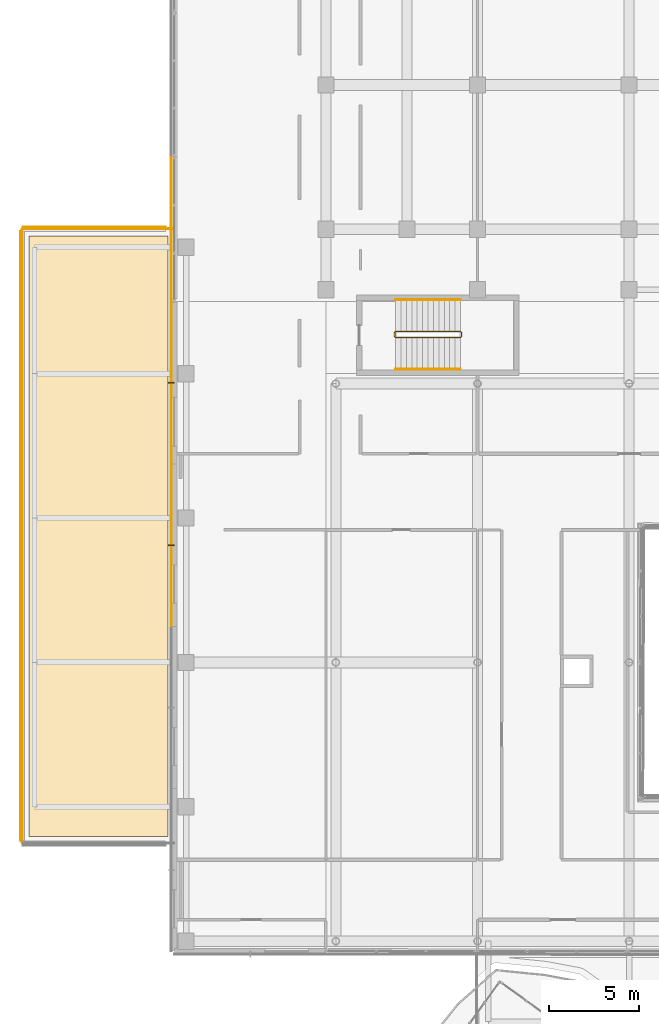
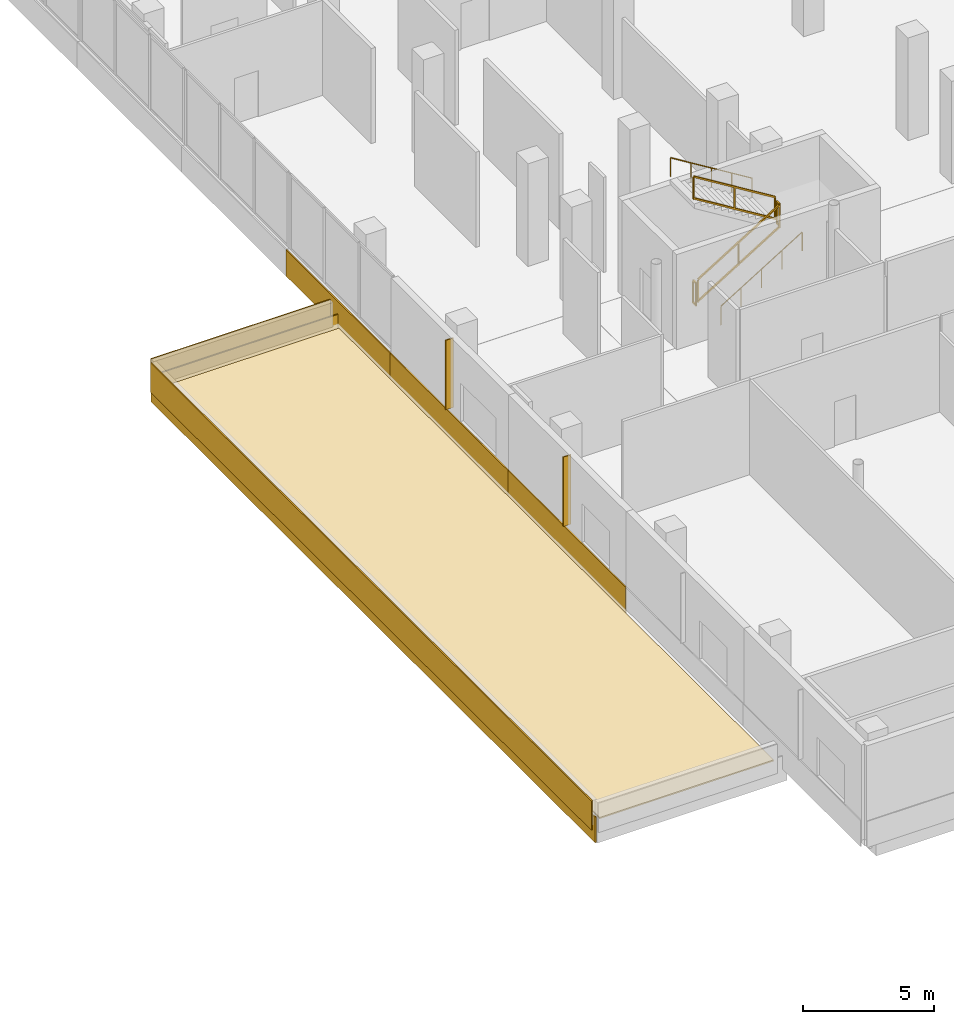
# One storey, part 161 of 168: 8 coverings, 6 railings, 2 shading devices.
"""IFC4 building model written with IfcOpenShell, lengths in metres."""

from ifc_helpers import new_model, si_unit, direction, frame, origin, origin_2d, place, context, subcontext, project, spatial, polyline, rectangle, circle, outline, extrude, material, layer, layer_set, type_object, element, save


model = new_model("IFC4")

# Units and contexts
model_context = context("Model", 3, precision=1e-05, world=origin(), true_north=direction((0.0, 1.0)))
body_context = subcontext(model_context, "Body", "Model", "MODEL_VIEW")
ifc_project = project(units=[si_unit("LENGTHUNIT", "METRE"), si_unit("AREAUNIT", "SQUARE_METRE"), si_unit("VOLUMEUNIT", "CUBIC_METRE"), si_unit("PLANEANGLEUNIT", "RADIAN"), si_unit("MASSUNIT", "GRAM", prefix="KILO")], contexts=[model_context])

# Site, building, storey
site_placement = place(None, origin())
site = spatial("IfcSite", under=ifc_project, at=site_placement, CompositionType="ELEMENT")
building_placement = place(site_placement, origin())
building = spatial("IfcBuilding", under=site, at=building_placement, Name="Selatvlak General Hospital", CompositionType="ELEMENT")
storey_placement = place(building_placement, frame((0.0, 0.0, 5.39990234375)))
storey = spatial("IfcBuildingStorey", under=building, at=storey_placement, Name="L01", CompositionType="ELEMENT", Elevation=5.39990234375)

# Coverings
ifc_material_1 = material(Name="Insulated TPO roofing membrane")
ifc_layer_1 = layer(ifc_material_1, 0.06005859375, Name="Insulated TPO roofing membrane")
ifc_layer_set_1 = layer_set([ifc_layer_1], Name="Insulated TPO roofing membrane")
covering_type_1 = type_object("IfcCoveringType", Name="COV-RF1", PredefinedType="ROOFING", material=ifc_layer_set_1)
covering_1_placement = place(storey_placement, frame((0.0, 0.0, -0.079833984375)))
element("IfcCovering", 1, at=covering_1_placement, inside=storey, type_object=covering_type_1, Name="L01 insulated TPO roof membrane 01", PredefinedType="ROOFING", context=body_context, shape_type="SweptSolid", body=[
    extrude(outline(polyline([(6.35009765625, 91.639892578125), (14.0419921875, 91.639892578125), (14.0419921875, 58.35009765625), (6.35009765625, 58.35009765625), (6.35009765625, 91.639892578125)])), origin(), (0.0, 0.0, 1.0), 0.059814453125),
])
ifc_material_2 = material(Name="White Bauhaus fair-faced cladding panel")
ifc_layer_2 = layer(ifc_material_2, 0.054931640625, Name="White Bauhaus fair-faced cladding panel")
ifc_layer_set_2 = layer_set([ifc_layer_2], Name="White Bauhaus fair-faced cladding panel")
covering_type_2 = type_object("IfcCoveringType", Name="COV-WHT1", PredefinedType="CLADDING", material=ifc_layer_set_2)
for number, where, z_axis, x_axis, name in (
    (2, (14.235107421875, 74.4990234375, -0.27978515625), (0.0, 0.0, 1.0), (0.0, 1.0, 0.0), "L01 Bauhaus horizontal white spandrel band 0044"),
    (3, (14.235107421875, 83.4990234375, -0.27978515625), (0.0, 0.0, 1.0), (0.0, 1.0, 0.0), "L01 Bauhaus horizontal white spandrel band 0045"),
):
    element("IfcCovering", number, at=place(storey_placement, frame(where, z_axis=z_axis, x_axis=x_axis)), inside=storey, type_object=covering_type_2, Name=name, PredefinedType="CLADDING", context=body_context, shape_type="SweptSolid", body=[
        extrude(rectangle(XDim=9.0, YDim=0.054931640625, at=origin_2d()), origin(), (0.0, 0.0, 1.0), 1.219970703125),
    ])
covering_2_placement = place(storey_placement, frame((14.235107421875, 91.9990234375, -0.27978515625), z_axis=(0.0, 0.0, 1.0), x_axis=(0.0, 1.0, 0.0)))
element("IfcCovering", 4, at=covering_2_placement, inside=storey, type_object=covering_type_2, Name="L01 Bauhaus horizontal white spandrel band 0046", PredefinedType="CLADDING", context=body_context, shape_type="SweptSolid", body=[
    extrude(rectangle(XDim=8.0, YDim=0.054931640625, at=origin_2d()), origin(), (0.0, 0.0, 1.0), 1.219970703125),
])
covering_3_placement = place(storey_placement, frame((5.969970703125, 74.9951171875, -0.85009765625), z_axis=(0.0, 0.0, 1.0), x_axis=(0.0, 1.0, 0.0)))
element("IfcCovering", 5, at=covering_3_placement, inside=storey, type_object=covering_type_2, Name="L01 Emergency ambulance canopy fascia W 0579", PredefinedType="CLADDING", context=body_context, shape_type="SweptSolid", body=[
    extrude(rectangle(XDim=33.989990234375, YDim=0.054931640625, at=origin_2d()), origin(), (0.0, 0.0, 1.0), 1.199951171875),
])
covering_4_placement = place(storey_placement, frame((10.199951171875, 92.02001953125, -0.85009765625), z_axis=(0.0, 0.0, 1.0), x_axis=(1.0, 0.0, 0.0)))
element("IfcCovering", 6, at=covering_4_placement, inside=storey, type_object=covering_type_2, Name="L01 Emergency ambulance canopy fascia N 0581", PredefinedType="CLADDING", context=body_context, shape_type="SweptSolid", body=[
    extrude(rectangle(XDim=8.39990234375, YDim=0.054931640625, at=origin_2d()), origin(), (0.0, 0.0, 1.0), 1.199951171875),
])
covering_5_placement = place(storey_placement, frame((9.9599609375, 92.114990234375, -0.300048828125), z_axis=(0.0, 0.0, 1.0), x_axis=(1.0, 0.0, 0.0)))
element("IfcCovering", 7, at=covering_5_placement, inside=storey, type_object=covering_type_2, Name="L01 Roof parapet white Bauhaus coping 0613", PredefinedType="CLADDING", context=body_context, shape_type="SweptSolid", body=[
    extrude(rectangle(XDim=7.919921875, YDim=0.054931640625, at=origin_2d()), origin(), (0.0, 0.0, 1.0), 1.3701171875),
])
covering_6_placement = place(storey_placement, frame((5.875, 75.0, -0.300048828125), z_axis=(0.0, 0.0, 1.0), x_axis=(0.0, 1.0, 0.0)))
element("IfcCovering", 8, at=covering_6_placement, inside=storey, type_object=covering_type_2, Name="L01 Roof parapet white Bauhaus coping 0615", PredefinedType="CLADDING", context=body_context, shape_type="SweptSolid", body=[
    extrude(rectangle(XDim=33.763916015625, YDim=0.054931640625, at=origin_2d()), origin(), (0.0, 0.0, 1.0), 1.3701171875),
])

# Railings
ifc_material_3 = material(Name="Stainless steel 316 stair guard", Category="steel")
railing_type_1 = type_object("IfcRailingType", Name="RAIL-STG", PredefinedType="GUARDRAIL", material=ifc_material_3)
railing_1_placement = place(storey_placement, frame((26.659912109375, 86.010009765625, 0.184814453125)))
element("IfcRailing", 9, at=railing_1_placement, inside=storey, type_object=railing_type_1, Name="L01 ST-07 stair guard 1", PredefinedType="GUARDRAIL", context=body_context, shape_type="SweptSolid", body=[
    extrude(rectangle(XDim=0.068115234375, YDim=0.068115234375, at=origin_2d()), frame((0.00244140625, 0.0, 1.067626953125), z_axis=(0.85167021472, 0.0, 0.524078090897), x_axis=(0.0, 1.0, 0.0)), (0.0, 0.0, 1.0), 4.22119140625),
    extrude(rectangle(XDim=0.068115234375, YDim=0.068115234375, at=origin_2d()), frame((0.00244140625, 0.0, 0.050537109375), z_axis=(0.85167021472, 0.0, 0.524078090897), x_axis=(0.0, 1.0, 0.0)), (0.0, 0.0, 1.0), 4.22119140625),
    extrude(rectangle(XDim=0.055908203125, YDim=0.055908203125, at=origin_2d()), origin(), (0.0, 0.0, 1.0), 1.029052734375),
    extrude(rectangle(XDim=0.055908203125, YDim=0.055908203125, at=origin_2d()), frame((1.800048828125, 0.0, 1.107666015625)), (0.0, 0.0, 1.0), 1.029052734375),
    extrude(rectangle(XDim=0.055908203125, YDim=0.055908203125, at=origin_2d()), frame((3.60009765625, 0.0, 2.21533203125)), (0.0, 0.0, 1.0), 1.029052734375),
])
railing_2_placement = place(storey_placement, frame((30.31005859375, 86.06005859375, 2.400146484375)))
element("IfcRailing", 10, at=railing_2_placement, inside=storey, type_object=railing_type_1, Name="L01 ST-07 stair guard 2", PredefinedType="GUARDRAIL", context=body_context, shape_type="SweptSolid", body=[
    extrude(rectangle(XDim=0.068115234375, YDim=0.068115234375, at=origin_2d()), frame((0.0, 0.0029296875, 1.06591796875), z_axis=(0.0, 1.0, 0.0), x_axis=(-1.0, 0.0, 0.0)), (0.0, 0.0, 1.0), 0.214111328125),
    extrude(rectangle(XDim=0.068115234375, YDim=0.068115234375, at=origin_2d()), frame((0.0, 0.0029296875, 0.049072265625), z_axis=(0.0, 1.0, 0.0), x_axis=(-1.0, 0.0, 0.0)), (0.0, 0.0, 1.0), 0.214111328125),
    extrude(rectangle(XDim=0.055908203125, YDim=0.055908203125, at=origin_2d()), origin(), (0.0, 0.0, 1.0), 1.029052734375),
    extrude(rectangle(XDim=0.055908203125, YDim=0.055908203125, at=origin_2d()), frame((0.0, 0.219970703125, 0.0)), (0.0, 0.0, 1.0), 1.029052734375),
])
railing_3_placement = place(storey_placement, frame((30.260009765625, 86.330078125, 2.584716796875)))
element("IfcRailing", 11, at=railing_3_placement, inside=storey, type_object=railing_type_1, Name="L01 ST-07 stair guard 3", PredefinedType="GUARDRAIL", context=body_context, shape_type="SweptSolid", body=[
    extrude(rectangle(XDim=0.068115234375, YDim=0.068115234375, at=origin_2d()), frame((-0.00244140625, 0.0, 1.067626953125), z_axis=(-0.85167021472, 0.0, 0.524078090897), x_axis=(0.0, -1.0, 0.0)), (0.0, 0.0, 1.0), 4.22119140625),
    extrude(rectangle(XDim=0.068115234375, YDim=0.068115234375, at=origin_2d()), frame((-0.00244140625, 0.0, 0.050537109375), z_axis=(-0.85167021472, 0.0, 0.524078090897), x_axis=(0.0, -1.0, 0.0)), (0.0, 0.0, 1.0), 4.22119140625),
    extrude(rectangle(XDim=0.055908203125, YDim=0.055908203125, at=origin_2d()), origin(), (0.0, 0.0, 1.0), 1.029052734375),
    extrude(rectangle(XDim=0.055908203125, YDim=0.055908203125, at=origin_2d()), frame((-1.800048828125, 0.0, 1.107666015625)), (0.0, 0.0, 1.0), 1.029052734375),
    extrude(rectangle(XDim=0.055908203125, YDim=0.055908203125, at=origin_2d()), frame((-3.60009765625, 0.0, 2.21533203125)), (0.0, 0.0, 1.0), 1.029052734375),
])
railing_4_placement = place(storey_placement, frame((26.610107421875, 86.06005859375, 0.0)))
element("IfcRailing", 12, at=railing_4_placement, inside=storey, type_object=railing_type_1, Name="L01 ST-07 stair guard 4", PredefinedType="GUARDRAIL", context=body_context, shape_type="SweptSolid", body=[
    extrude(rectangle(XDim=0.068115234375, YDim=0.068115234375, at=origin_2d()), frame((0.0, 0.0029296875, 1.06591796875), z_axis=(0.0, 1.0, 0.0), x_axis=(-1.0, 0.0, 0.0)), (0.0, 0.0, 1.0), 0.214111328125),
    extrude(rectangle(XDim=0.068115234375, YDim=0.068115234375, at=origin_2d()), frame((0.0, 0.0029296875, 0.049072265625), z_axis=(0.0, 1.0, 0.0), x_axis=(-1.0, 0.0, 0.0)), (0.0, 0.0, 1.0), 0.214111328125),
    extrude(rectangle(XDim=0.055908203125, YDim=0.055908203125, at=origin_2d()), origin(), (0.0, 0.0, 1.0), 1.029052734375),
    extrude(rectangle(XDim=0.055908203125, YDim=0.055908203125, at=origin_2d()), frame((0.0, 0.219970703125, 0.0)), (0.0, 0.0, 1.0), 1.029052734375),
])
ifc_material_4 = material(Name="Stainless steel 316 handrail", Category="steel")
railing_type_2 = type_object("IfcRailingType", Name="RAIL-STH", PredefinedType="HANDRAIL", material=ifc_material_4)
railing_5_placement = place(storey_placement, frame((26.659912109375, 84.25, 0.184814453125)))
element("IfcRailing", 13, at=railing_5_placement, inside=storey, type_object=railing_type_2, Name="L01 ST-07 stair handrail 1", PredefinedType="HANDRAIL", context=body_context, shape_type="SweptSolid", body=[
    extrude(circle(Radius=0.02392578125, at=origin_2d()), frame((0.00244140625, 0.0, 0.87744140625), z_axis=(0.85167021472, 0.0, 0.524078090897), x_axis=(0.0, 1.0, 0.0)), (0.0, 0.0, 1.0), 4.22119140625),
    extrude(circle(Radius=0.02099609375, at=origin_2d()), origin(), (0.0, 0.0, 1.0), 0.848876953125),
    extrude(circle(Radius=0.02099609375, at=origin_2d()), frame((0.89990234375, 0.0, 0.5537109375)), (0.0, 0.0, 1.0), 0.848876953125),
    extrude(circle(Radius=0.02099609375, at=origin_2d()), frame((1.800048828125, 0.0, 1.107666015625)), (0.0, 0.0, 1.0), 0.848876953125),
    extrude(circle(Radius=0.02099609375, at=origin_2d()), frame((2.7001953125, 0.0, 1.66162109375)), (0.0, 0.0, 1.0), 0.848876953125),
    extrude(circle(Radius=0.02099609375, at=origin_2d()), frame((3.60009765625, 0.0, 2.21533203125)), (0.0, 0.0, 1.0), 0.848876953125),
])
railing_6_placement = place(storey_placement, frame((30.260009765625, 88.090087890625, 2.584716796875)))
element("IfcRailing", 14, at=railing_6_placement, inside=storey, type_object=railing_type_2, Name="L01 ST-07 stair handrail 2", PredefinedType="HANDRAIL", context=body_context, shape_type="SweptSolid", body=[
    extrude(circle(Radius=0.02392578125, at=origin_2d()), frame((-0.00244140625, 0.0, 0.87744140625), z_axis=(-0.85167021472, 0.0, 0.524078090897), x_axis=(0.0, -1.0, 0.0)), (0.0, 0.0, 1.0), 4.22119140625),
    extrude(circle(Radius=0.02099609375, at=origin_2d()), origin(), (0.0, 0.0, 1.0), 0.848876953125),
    extrude(circle(Radius=0.02099609375, at=origin_2d()), frame((-0.89990234375, 0.0, 0.5537109375)), (0.0, 0.0, 1.0), 0.848876953125),
    extrude(circle(Radius=0.02099609375, at=origin_2d()), frame((-1.800048828125, 0.0, 1.107666015625)), (0.0, 0.0, 1.0), 0.848876953125),
    extrude(circle(Radius=0.02099609375, at=origin_2d()), frame((-2.7001953125, 0.0, 1.66162109375)), (0.0, 0.0, 1.0), 0.848876953125),
    extrude(circle(Radius=0.02099609375, at=origin_2d()), frame((-3.60009765625, 0.0, 2.21533203125)), (0.0, 0.0, 1.0), 0.848876953125),
])

# Shading devices
ifc_material_5 = material(Name="Anodised aluminium brise-soleil fin", Category="aluminium")
ifc_layer_3 = layer(ifc_material_5, 0.044921875, Name="Anodised aluminium brise-soleil fin", Category="aluminium")
ifc_layer_set_3 = layer_set([ifc_layer_3], Name="Anodised aluminium brise-soleil fin")
shading_device_type = type_object("IfcShadingDeviceType", Name="SHD-FIN1", PredefinedType="USERDEFINED", material=ifc_layer_set_3)
for number, where, z_axis, x_axis, name in (
    (15, (14.22802734375, 74.4990234375, 1.1005859375), (0.0, 0.0, 1.0), (-1.0, 0.0, 0.0), "L01 monsoon vertical brise-soleil fin 200"),
    (16, (14.22802734375, 83.4990234375, 1.1005859375), (0.0, 0.0, 1.0), (-1.0, 0.0, 0.0), "L01 monsoon vertical brise-soleil fin 201"),
):
    element("IfcShadingDevice", number, at=place(storey_placement, frame(where, z_axis=z_axis, x_axis=x_axis)), inside=storey, type_object=shading_device_type, Name=name, ObjectType="SUNSHADE", PredefinedType="USERDEFINED", context=body_context, shape_type="SweptSolid", body=[
        extrude(rectangle(XDim=0.35009765625, YDim=0.044921875, at=origin_2d()), origin(), (0.0, 0.0, 1.0), 3.2451171875),
    ])

save(model, "model.ifc")
